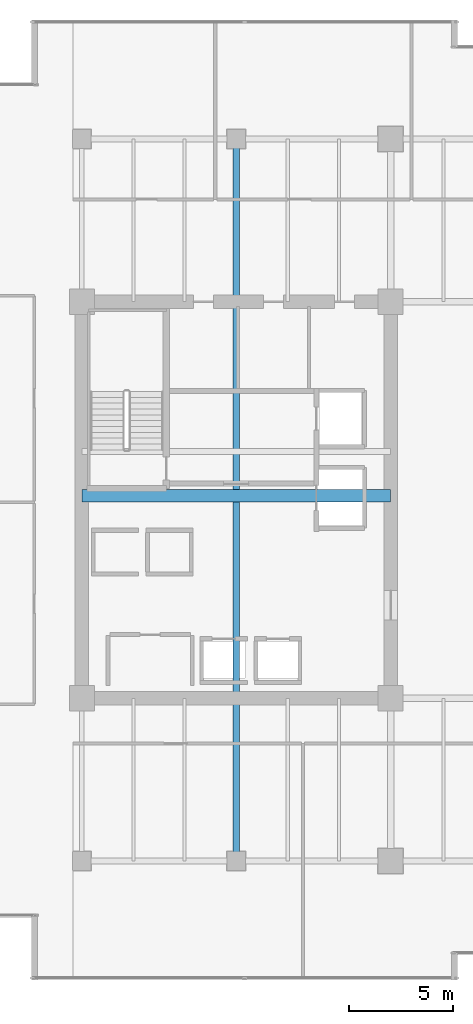
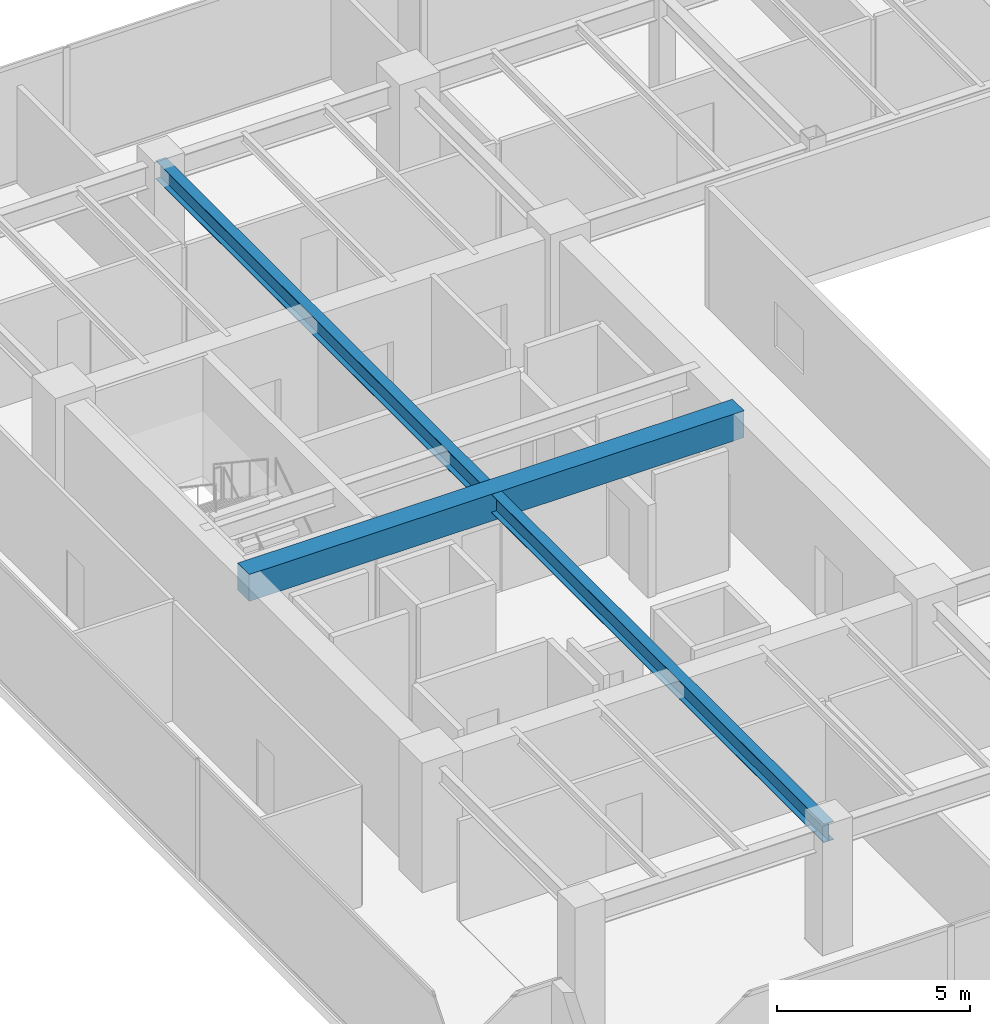
# One storey, part 7 of 33: 2 beams.
"""IFC4 building model written with IfcOpenShell, lengths in metres."""

from ifc_helpers import new_model, si_unit, direction, frame, origin, origin_2d, place, context, subcontext, project, spatial, rectangle, i_section, extrude, source, transform, mapped, material, material_profile, profile_set, type_object, type_shapes, element, save


model = new_model("IFC4")

# Units and contexts
model_context = context("Model", 3, precision=1e-05, world=origin(), true_north=direction((0.0, 1.0)))
body_context = subcontext(model_context, "Body", "Model", "MODEL_VIEW")
ifc_project = project(units=[si_unit("LENGTHUNIT", "METRE"), si_unit("AREAUNIT", "SQUARE_METRE"), si_unit("VOLUMEUNIT", "CUBIC_METRE"), si_unit("PLANEANGLEUNIT", "RADIAN"), si_unit("MASSUNIT", "GRAM", prefix="KILO")], contexts=[model_context])

# Site, building, storey
site_placement = place(None, origin())
site = spatial("IfcSite", under=ifc_project, at=site_placement, CompositionType="ELEMENT")
building_placement = place(site_placement, origin())
building = spatial("IfcBuilding", under=site, at=building_placement, Name="Haelvirn Gate Laboratories", CompositionType="ELEMENT")
storey_placement = place(building_placement, frame((0.0, 0.0, 166.60009765625)))
storey = spatial("IfcBuildingStorey", under=building, at=storey_placement, Name="L40", CompositionType="ELEMENT", Elevation=166.60009765625)

# Beams
ifc_material_1 = material(Name="Steel SM355", Category="steel")
ifc_material_profile_1 = material_profile(ifc_material_1, i_section(OverallWidth=0.300048828125, OverallDepth=0.587890625, WebThickness=0.011962890625, FlangeThickness=0.02001953125, at=origin_2d()), Name="H-588x300x12x20")
ifc_profile_set_1 = profile_set([ifc_material_profile_1], Name="Steel SM355")
beam_type_1 = type_object("IfcBeamType", Name="BM-G-588", PredefinedType="BEAM", material=ifc_profile_set_1)
shared_shape_1 = source(origin(), body_context, "Body", "SweptSolid", [
    extrude(i_section(OverallWidth=0.300048828125, OverallDepth=0.587890625, WebThickness=0.011962890625, FlangeThickness=0.02001953125, at=origin_2d()), origin(), (0.0, 0.0, 1.0), 34.60009765625),
])
type_shapes(beam_type_1, [shared_shape_1])
beam_1_placement = place(storey_placement, frame((14.800048828125, 7.0, 3.495849609375), z_axis=(0.0, 1.0, 0.0), x_axis=(-1.0, 0.0, 0.0)))
element("IfcBeam", 1, at=beam_1_placement, inside=storey, type_object=beam_type_1, Name="L40 Frame Girder X14.8 (7.0-41.6)", PredefinedType="BEAM", context=body_context, shape_type="MappedRepresentation", body=[
    mapped(shared_shape_1, transform((0.0, 0.0, 0.0), scale=1.0)),
])
ifc_material_2 = material(Name="Concrete C50/60", Category="concrete")
ifc_material_profile_2 = material_profile(ifc_material_2, rectangle(XDim=0.60009765625, YDim=0.85009765625, at=origin_2d()), Name="RCB-600x850")
ifc_profile_set_2 = profile_set([ifc_material_profile_2], Name="Concrete C50/60")
beam_type_2 = type_object("IfcBeamType", Name="BM-RCB-850", PredefinedType="LINTEL", material=ifc_profile_set_2)
shared_shape_2 = source(origin(), body_context, "Body", "SweptSolid", [
    extrude(rectangle(XDim=0.60009765625, YDim=0.85009765625, at=origin_2d()), origin(), (0.0, 0.0, 1.0), 14.800048828125),
])
type_shapes(beam_type_2, [shared_shape_2])
beam_2_placement = place(storey_placement, frame((7.39990234375, 24.5, 3.364990234375), z_axis=(1.0, 0.0, 0.0), x_axis=(0.0, 1.0, 0.0)))
element("IfcBeam", 2, at=beam_2_placement, inside=storey, type_object=beam_type_2, Name="L40 West Core Coupling Beam", PredefinedType="LINTEL", context=body_context, shape_type="MappedRepresentation", body=[
    mapped(shared_shape_2, transform((0.0, 0.0, 0.0), scale=1.0)),
])

save(model, "model.ifc")
